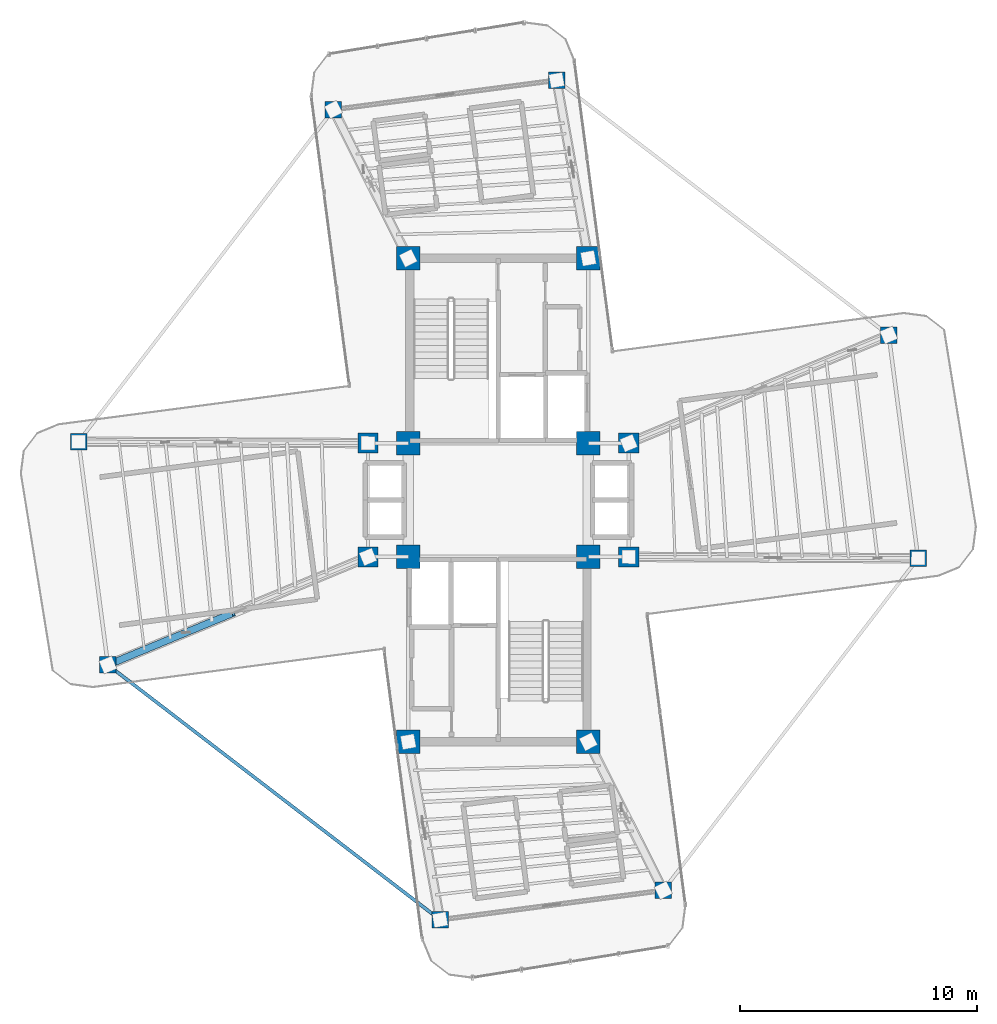
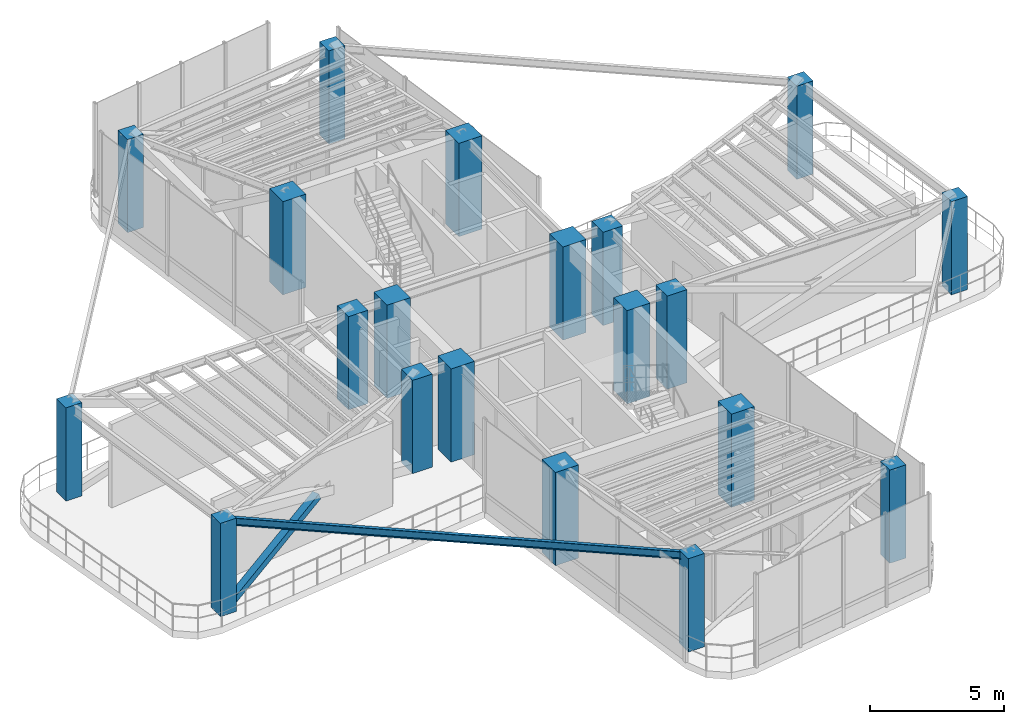
# One storey, part 1 of 17: 20 columns, 1 beam, 1 member.
"""IFC4 building model written with IfcOpenShell, lengths in metres."""

from ifc_helpers import new_model, si_unit, direction, frame, origin, origin_2d, place, context, subcontext, project, spatial, rectangle, hollow_rectangle, i_section, extrude, source, transform, mapped, material, material_profile, profile_set, type_object, element, save


model = new_model("IFC4")

# Units and contexts
model_context = context("Model", 3, precision=1e-05, world=origin(), true_north=direction((0.0, 1.0)))
body_context = subcontext(model_context, "Body", "Model", "MODEL_VIEW")
ifc_project = project(units=[si_unit("LENGTHUNIT", "METRE"), si_unit("AREAUNIT", "SQUARE_METRE"), si_unit("VOLUMEUNIT", "CUBIC_METRE"), si_unit("PLANEANGLEUNIT", "RADIAN"), si_unit("MASSUNIT", "GRAM", prefix="KILO")], contexts=[model_context])

# Site, building, storey
site_placement = place(None, origin())
site = spatial("IfcSite", under=ifc_project, at=site_placement, CompositionType="ELEMENT")
building_placement = place(site_placement, origin())
building = spatial("IfcBuilding", under=site, at=building_placement, Name="Sahyath Konkavel Grand Hotel", CompositionType="ELEMENT")
storey_placement = place(building_placement, frame((0.0, 0.0, 264.60009765625)))
storey = spatial("IfcBuildingStorey", under=building, at=storey_placement, Name="L74", CompositionType="ELEMENT", Elevation=264.60009765625)

# Columns
ifc_material_1 = material(Name="Concrete C50/60", Category="concrete")
ifc_material_profile_1 = material_profile(ifc_material_1, rectangle(XDim=1.0, YDim=1.0, at=origin_2d()), Name="RC 1000x1000")
ifc_profile_set_1 = profile_set([ifc_material_profile_1], Name="Concrete C50/60")
column_type_1 = type_object("IfcColumnType", Name="COL-RC1000", PredefinedType="COLUMN", material=ifc_profile_set_1)
shared_shape_1 = source(origin(), body_context, "Body", "SweptSolid", [
    extrude(rectangle(XDim=1.0, YDim=1.0, at=origin_2d()), origin(), (0.0, 0.0, 1.0), 4.260009765625),
])
for number, where, z_axis, x_axis, name in (
    (1, (-3.800048828125, 2.39990234375, 0.0), (0.0, 0.0, 1.0), (1.0, 0.0, 0.0), "L74 Core Boundary Column NC-SW"),
    (2, (3.800048828125, 2.39990234375, 0.0), (0.0, 0.0, 1.0), (1.0, 0.0, 0.0), "L74 Core Boundary Column NC-SE"),
    (3, (-3.800048828125, 10.199951171875, 0.0), (0.0, 0.0, 1.0), (1.0, 0.0, 0.0), "L74 Core Boundary Column NC-NW"),
    (4, (3.800048828125, 10.199951171875, 0.0), (0.0, 0.0, 1.0), (1.0, 0.0, 0.0), "L74 Core Boundary Column NC-NE"),
    (5, (-3.800048828125, -2.39990234375, 0.0), (0.0, 0.0, 1.0), (1.0, 0.0, 0.0), "L74 Core Boundary Column SC-NW"),
    (6, (3.800048828125, -2.39990234375, 0.0), (0.0, 0.0, 1.0), (1.0, 0.0, 0.0), "L74 Core Boundary Column SC-NE"),
    (7, (-3.800048828125, -10.199951171875, 0.0), (0.0, 0.0, 1.0), (1.0, 0.0, 0.0), "L74 Core Boundary Column SC-SW"),
    (8, (3.800048828125, -10.199951171875, 0.0), (0.0, 0.0, 1.0), (1.0, 0.0, 0.0), "L74 Core Boundary Column SC-SE"),
):
    element("IfcColumn", number, at=place(storey_placement, frame(where, z_axis=z_axis, x_axis=x_axis)), inside=storey, type_object=column_type_1, Name=name, PredefinedType="COLUMN", context=body_context, shape_type="MappedRepresentation", body=[
        mapped(shared_shape_1, transform((0.0, 0.0, 0.0), scale=1.0)),
    ])
ifc_material_2 = material(Name="Concrete C40/50", Category="concrete")
ifc_material_profile_2 = material_profile(ifc_material_2, rectangle(XDim=0.85009765625, YDim=0.85009765625, at=origin_2d()), Name="RC 850x850")
ifc_profile_set_2 = profile_set([ifc_material_profile_2], Name="Concrete C40/50")
column_type_2 = type_object("IfcColumnType", Name="COL-RC850", PredefinedType="COLUMN", material=ifc_profile_set_2)
shared_shape_2 = source(origin(), body_context, "Body", "SweptSolid", [
    extrude(rectangle(XDim=0.85009765625, YDim=0.85009765625, at=origin_2d()), origin(), (0.0, 0.0, 1.0), 4.260009765625),
])
for number, where, z_axis, x_axis, name in (
    (9, (5.5, 2.39990234375, 0.0), (0.0, 0.0, 1.0), (1.0, 0.0, 0.0), "L74 Central Spine Column HB-NE"),
    (10, (-5.5, 2.39990234375, 0.0), (0.0, 0.0, 1.0), (1.0, 0.0, 0.0), "L74 Central Spine Column HB-NW"),
    (11, (5.5, -2.39990234375, 0.0), (0.0, 0.0, 1.0), (1.0, 0.0, 0.0), "L74 Central Spine Column HB-SE"),
    (12, (-5.5, -2.39990234375, 0.0), (0.0, 0.0, 1.0), (1.0, 0.0, 0.0), "L74 Central Spine Column HB-SW"),
):
    element("IfcColumn", number, at=place(storey_placement, frame(where, z_axis=z_axis, x_axis=x_axis)), inside=storey, type_object=column_type_2, Name=name, PredefinedType="COLUMN", context=body_context, shape_type="MappedRepresentation", body=[
        mapped(shared_shape_2, transform((0.0, 0.0, 0.0), scale=1.0)),
    ])
ifc_material_profile_3 = material_profile(ifc_material_2, rectangle(XDim=0.699951171875, YDim=0.699951171875, at=origin_2d()), Name="RC 700x700")
ifc_profile_set_3 = profile_set([ifc_material_profile_3], Name="Concrete C40/50")
column_type_3 = type_object("IfcColumnType", Name="COL-RC700", PredefinedType="COLUMN", material=ifc_profile_set_3)
shared_shape_3 = source(origin(), body_context, "Body", "SweptSolid", [
    extrude(rectangle(XDim=0.699951171875, YDim=0.699951171875, at=origin_2d()), origin(), (0.0, 0.0, 1.0), 4.260009765625),
])
for number, where, z_axis, x_axis, name in (
    (13, (17.71240234375, -2.458984375, 0.0), (0.0, 0.0, 1.0), (1.0, 0.0, 0.0), "L74 Cruciform Wing Column WC-EA"),
    (14, (16.472412109375, 6.959716796875, 0.0), (0.0, 0.0, 1.0), (1.0, 0.0, 0.0), "L74 Cruciform Wing Column WC-EB"),
    (15, (2.458984375, 17.71240234375, 0.0), (0.0, 0.0, 1.0), (1.0, 0.0, 0.0), "L74 Cruciform Wing Column WC-NA"),
    (16, (-6.959716796875, 16.472412109375, 0.0), (0.0, 0.0, 1.0), (1.0, 0.0, 0.0), "L74 Cruciform Wing Column WC-NB"),
    (17, (-17.71240234375, 2.458984375, 0.0), (0.0, 0.0, 1.0), (1.0, 0.0, 0.0), "L74 Cruciform Wing Column WC-WA"),
    (18, (-16.472412109375, -6.959716796875, 0.0), (0.0, 0.0, 1.0), (1.0, 0.0, 0.0), "L74 Cruciform Wing Column WC-WB"),
    (19, (-2.458984375, -17.71240234375, 0.0), (0.0, 0.0, 1.0), (1.0, 0.0, 0.0), "L74 Cruciform Wing Column WC-SA"),
    (20, (6.959716796875, -16.472412109375, 0.0), (0.0, 0.0, 1.0), (1.0, 0.0, 0.0), "L74 Cruciform Wing Column WC-SB"),
):
    element("IfcColumn", number, at=place(storey_placement, frame(where, z_axis=z_axis, x_axis=x_axis)), inside=storey, type_object=column_type_3, Name=name, PredefinedType="COLUMN", context=body_context, shape_type="MappedRepresentation", body=[
        mapped(shared_shape_3, transform((0.0, 0.0, 0.0), scale=1.0)),
    ])

# Beam
ifc_material_3 = material(Name="Steel E350", Category="steel")
ifc_material_profile_4 = material_profile(ifc_material_3, i_section(OverallWidth=0.139892578125, OverallDepth=0.35009765625, WebThickness=0.008056640625, FlangeThickness=0.01416015625, FilletRadius=0.013916015625, at=origin_2d()), Name="ISMB 350")
ifc_profile_set_4 = profile_set([ifc_material_profile_4], Name="Steel E350")
beam_type = type_object("IfcBeamType", Name="BM-ISMB350", PredefinedType="BEAM", material=ifc_profile_set_4)
shared_shape_4 = source(origin(), body_context, "Body", "SweptSolid", [
    extrude(i_section(OverallWidth=0.139892578125, OverallDepth=0.35009765625, WebThickness=0.008056640625, FlangeThickness=0.01416015625, FilletRadius=0.013916015625, at=origin_2d()), origin(), (0.0, 0.0, 1.0), 17.663330078125),
])
beam_placement = place(storey_placement, frame((-16.472412109375, -6.959716796875, 4.0849609375), z_axis=(0.793358692504, -0.608754453805, 0.0), x_axis=(0.608754453805, 0.793358692504, 0.0)))
element("IfcBeam", 21, at=beam_placement, inside=storey, type_object=beam_type, Name="L74 Re-Entrant Tie Beam SW", PredefinedType="BEAM", context=body_context, shape_type="MappedRepresentation", body=[
    mapped(shared_shape_4, transform((0.0, 0.0, 0.0), scale=1.0)),
])

# Member
ifc_material_4 = material(Name="Steel E450", Category="steel")
ifc_material_profile_5 = material_profile(ifc_material_4, hollow_rectangle(XDim=0.300048828125, YDim=0.300048828125, WallThickness=0.01611328125, at=origin_2d()), Name="SHS 300x300x16")
ifc_profile_set_5 = profile_set([ifc_material_profile_5], Name="Steel E450")
member_type = type_object("IfcMemberType", Name="BR-SHS300", PredefinedType="BRACE", material=ifc_profile_set_5)
shared_shape_5 = source(origin(), body_context, "Body", "SweptSolid", [
    extrude(hollow_rectangle(XDim=0.300048828125, YDim=0.300048828125, WallThickness=0.01611328125, at=origin_2d()), origin(), (0.0, 0.0, 1.0), 6.06787109375),
])
member_placement = place(storey_placement, frame((-16.472412109375, -6.959716796875, 0.010009765625), z_axis=(0.869721245071, 0.361431622154, 0.336083528871), x_axis=(-0.383753739294, 0.923435470175, 0.0)))
element("IfcMember", 22, at=member_placement, inside=storey, type_object=member_type, Name="L74 Core Outrigger Truss WB Split Lower Diagonal 2A", PredefinedType="BRACE", context=body_context, shape_type="MappedRepresentation", body=[
    mapped(shared_shape_5, transform((0.0, 0.0, 0.0), scale=1.0)),
])

save(model, "model.ifc")
